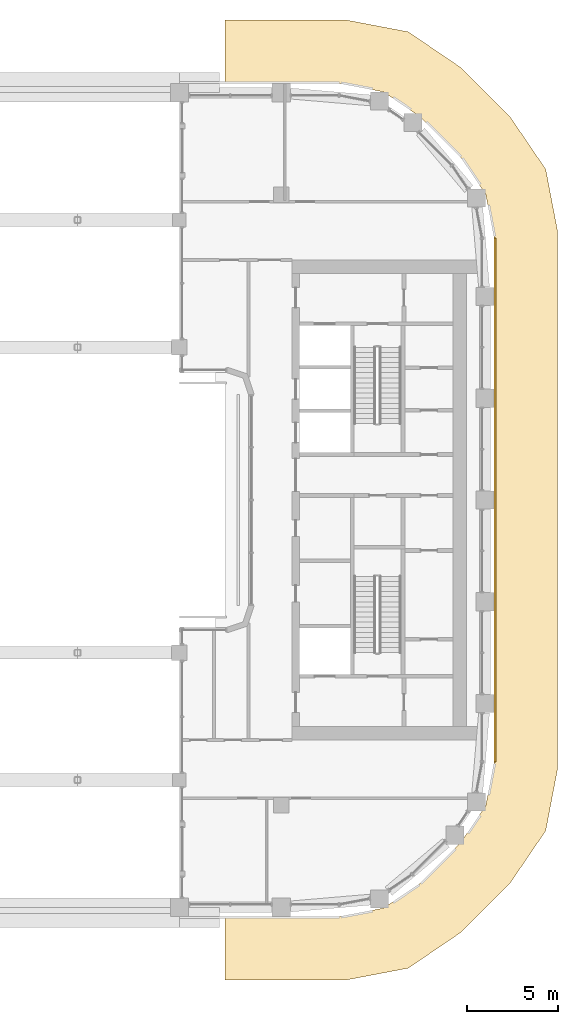
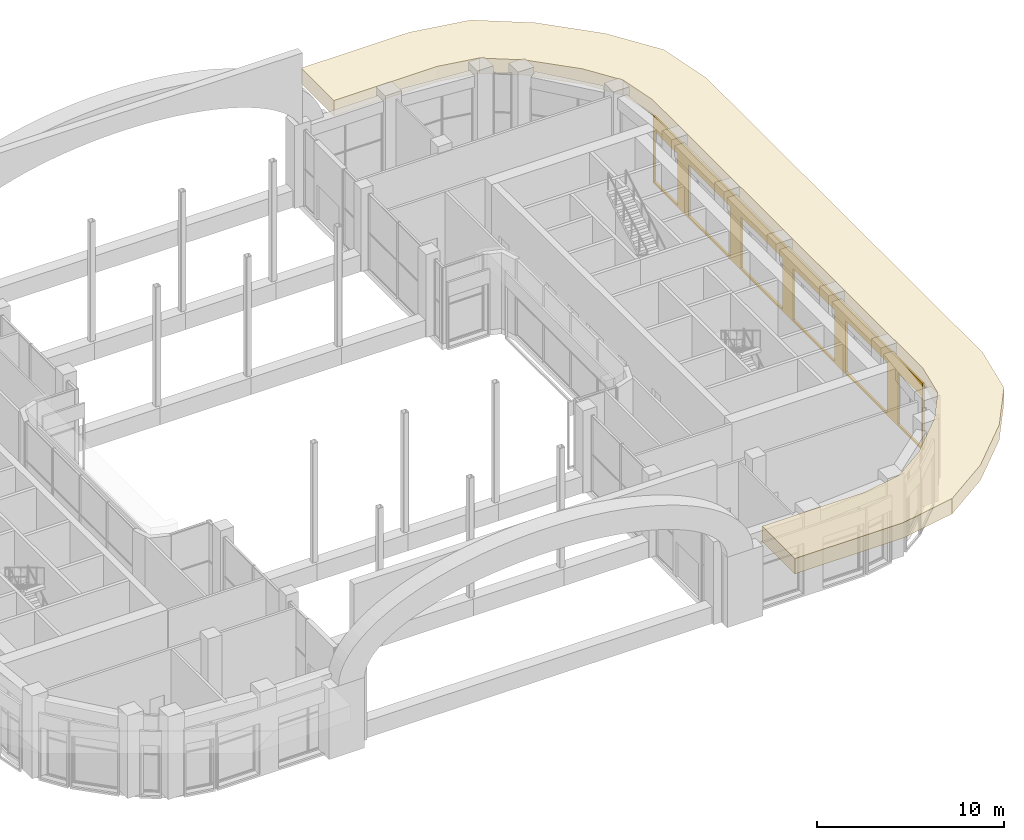
# One storey, part 26 of 28: 2 coverings.
"""IFC4 building model written with IfcOpenShell, lengths in metres."""

from ifc_helpers import new_model, si_unit, direction, frame, origin, place, context, subcontext, project, spatial, polyline, outline, extrude, material, layer, layer_set, type_object, element, save


model = new_model("IFC4")

# Units and contexts
model_context = context("Model", 3, precision=1e-05, world=origin(), true_north=direction((0.0, 1.0)))
body_context = subcontext(model_context, "Body", "Model", "MODEL_VIEW")
ifc_project = project(units=[si_unit("LENGTHUNIT", "METRE"), si_unit("AREAUNIT", "SQUARE_METRE"), si_unit("VOLUMEUNIT", "CUBIC_METRE"), si_unit("PLANEANGLEUNIT", "RADIAN"), si_unit("MASSUNIT", "GRAM", prefix="KILO")], contexts=[model_context])

# Site, building, storey
site_placement = place(None, origin())
site = spatial("IfcSite", under=ifc_project, at=site_placement, CompositionType="ELEMENT")
building_placement = place(site_placement, origin())
building = spatial("IfcBuilding", under=site, at=building_placement, Name="Kiln Ring Residences", CompositionType="ELEMENT")
storey_placement = place(building_placement, frame((0.0, 0.0, 178.10009765625)))
storey = spatial("IfcBuildingStorey", under=building, at=storey_placement, Name="L46", CompositionType="ELEMENT", Elevation=178.10009765625)

# Coverings
ifc_material_1 = material(Name="Brick masonry, dark clay brick", Category="masonry")
ifc_layer_1 = layer(ifc_material_1, 0.1201171875)
ifc_layer_set_1 = layer_set([ifc_layer_1], Name="RAINSCREEN PANEL 120")
covering_type_1 = type_object("IfcCoveringType", Name="RAINSCREEN PANEL 120", PredefinedType="CLADDING", material=ifc_layer_set_1)
covering_1_placement = place(storey_placement, frame((28.56005859375, -14.39990234375, 0.0), z_axis=(0.0, 0.0, 1.0), x_axis=(0.0, 1.0, 0.0)))
element("IfcCovering", 1, at=covering_1_placement, inside=storey, type_object=covering_type_1, Name="RAINSCREEN L46", PredefinedType="CLADDING", context=body_context, shape_type="SweptSolid", body=[
    extrude(outline(polyline([(0.0, 0.0), (28.800048828125, 0.0), (28.800048828125, 4.39990234375), (0.0, 4.39990234375), (0.0, 0.0)]), holes=[polyline([(2.6201171875, 0.1298828125), (2.6201171875, 3.469970703125), (0.080078125, 3.469970703125), (0.080078125, 0.1298828125), (2.6201171875, 0.1298828125)]), polyline([(3.780029296875, 0.1298828125), (8.219970703125, 0.1298828125), (8.219970703125, 3.469970703125), (3.780029296875, 3.469970703125), (3.780029296875, 0.1298828125)]), polyline([(9.3798828125, 0.1298828125), (13.820068359375, 0.1298828125), (13.820068359375, 3.469970703125), (9.3798828125, 3.469970703125), (9.3798828125, 0.1298828125)]), polyline([(19.419921875, 0.1298828125), (19.419921875, 3.469970703125), (14.97998046875, 3.469970703125), (14.97998046875, 0.1298828125), (19.419921875, 0.1298828125)]), polyline([(20.580078125, 0.1298828125), (25.02001953125, 0.1298828125), (25.02001953125, 3.469970703125), (20.580078125, 3.469970703125), (20.580078125, 0.1298828125)]), polyline([(26.179931640625, 0.1298828125), (28.719970703125, 0.1298828125), (28.719970703125, 3.469970703125), (26.179931640625, 3.469970703125), (26.179931640625, 0.1298828125)])]), frame((0.0, 0.06005859375, 0.0), z_axis=(0.0, -1.0, 0.0), x_axis=(1.0, 0.0, 0.0)), (0.0, 0.0, 1.0), 0.1201171875),
])
ifc_material_2 = material(Name="Black powder-coated steel", Category="steel")
ifc_layer_2 = layer(ifc_material_2, 1.0)
ifc_layer_set_2 = layer_set([ifc_layer_2], Name="SUNSHADE FIN 3500")
covering_type_2 = type_object("IfcCoveringType", Name="SUNSHADE FIN 3500", PredefinedType="CLADDING", material=ifc_layer_set_2)
covering_2_placement = place(storey_placement, frame((0.0, 0.0, 4.39990234375)))
element("IfcCovering", 2, at=covering_2_placement, inside=storey, type_object=covering_type_2, Name="SUNSHADE FIN L46", PredefinedType="CLADDING", context=body_context, shape_type="SweptSolid", body=[
    extrude(outline(polyline([(20.378173828125, 26.39990234375), (13.699951171875, 26.39990234375), (13.699951171875, 22.89990234375), (20.04736328125, 22.89990234375), (22.419677734375, 22.447509765625), (24.417236328125, 21.08984375), (26.68994140625, 18.817138671875), (28.047607421875, 16.819580078125), (28.5, 14.447265625), (28.5, -14.447265625), (28.047607421875, -16.819580078125), (26.68994140625, -18.817138671875), (24.417236328125, -21.08984375), (22.419677734375, -22.447509765625), (20.04736328125, -22.89990234375), (13.699951171875, -22.89990234375), (13.699951171875, -26.39990234375), (20.378173828125, -26.39990234375), (23.78759765625, -25.749755859375), (26.658203125, -23.798583984375), (29.398681640625, -21.05810546875), (31.349609375, -18.1875), (32.0, -14.778076171875), (32.0, 14.778076171875), (31.349609375, 18.1875), (29.398681640625, 21.05810546875), (26.658203125, 23.798583984375), (23.78759765625, 25.749755859375), (20.378173828125, 26.39990234375)])), origin(), (0.0, 0.0, 1.0), 1.0),
])

save(model, "model.ifc")
